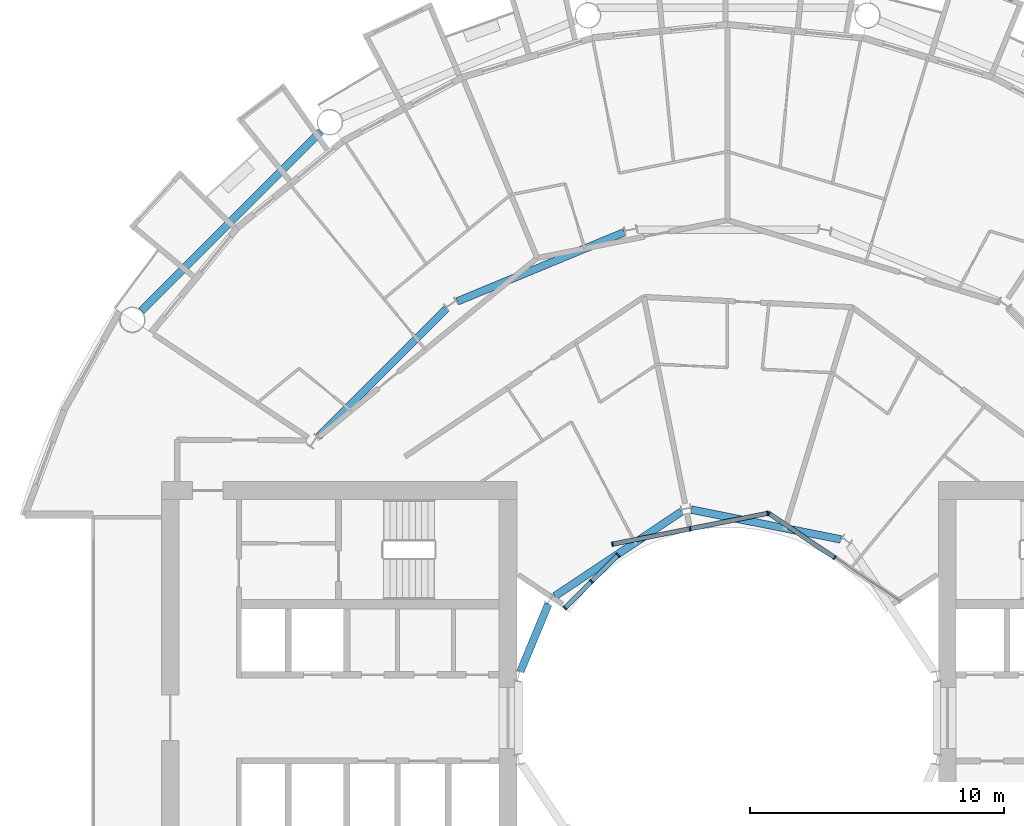
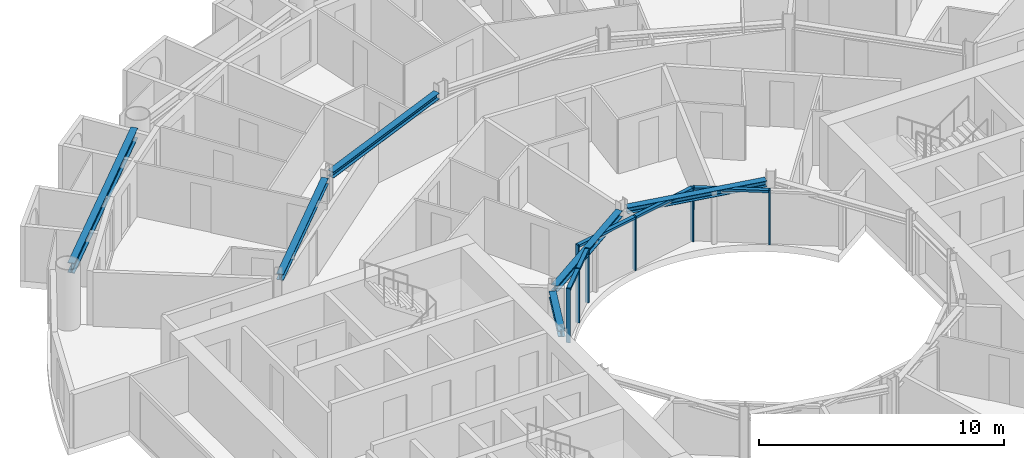
# One storey, part 7 of 26: 13 members, 6 beams, 3 elements without a shape of their own.
"""IFC4 building model written with IfcOpenShell, lengths in metres."""

from ifc_helpers import new_model, si_unit, direction, frame, origin, origin_2d, place, context, subcontext, project, spatial, rectangle, i_section, extrude, material, layer, layer_set, material_profile, profile_set, type_object, element, aggregate, save


model = new_model("IFC4")

# Units and contexts
model_context = context("Model", 3, precision=1e-05, world=origin(), true_north=direction((0.0, 1.0)))
body_context = subcontext(model_context, "Body", "Model", "MODEL_VIEW")
ifc_project = project(units=[si_unit("LENGTHUNIT", "METRE"), si_unit("AREAUNIT", "SQUARE_METRE"), si_unit("VOLUMEUNIT", "CUBIC_METRE"), si_unit("PLANEANGLEUNIT", "RADIAN"), si_unit("MASSUNIT", "GRAM", prefix="KILO")], contexts=[model_context])

# Site, building, storey
site_placement = place(None, origin())
site = spatial("IfcSite", under=ifc_project, at=site_placement, CompositionType="ELEMENT")
building_placement = place(site_placement, origin())
building = spatial("IfcBuilding", under=site, at=building_placement, Name="Maasbend Ring Residences", CompositionType="ELEMENT")
storey_placement = place(building_placement, frame((0.0, 0.0, 91.050048828125)))
storey = spatial("IfcBuildingStorey", under=building, at=storey_placement, Name="L26", CompositionType="ELEMENT", Elevation=91.050048828125)

# Curtain wall, members
ifc_material_1 = material(Name="Aluminium and clear glass", Category="aluminium")
ifc_layer = layer(ifc_material_1, 0.179931640625)
ifc_layer_set = layer_set([ifc_layer], Name="CW-W")
curtain_wall_type = type_object("IfcCurtainWallType", Name="CW-W", PredefinedType="NOTDEFINED", material=ifc_layer_set)
curtain_wall_1_placement = place(storey_placement, origin())
curtain_wall_1 = element("IfcCurtainWall", 1, at=curtain_wall_1_placement, inside=storey, type_object=curtain_wall_type, Name="Well curtain wall N1", PredefinedType="NOTDEFINED")
ifc_material_2 = material(Name="Aluminium 6063-T6", Category="aluminium")
ifc_material_profile_1 = material_profile(ifc_material_2, rectangle(XDim=0.179931640625, YDim=0.06005859375, at=origin_2d()), Name="AL 180x60")
ifc_profile_set_1 = profile_set([ifc_material_profile_1], Name="Aluminium 6063-T6")
member_type_1 = type_object("IfcMemberType", Name="CWM-W", PredefinedType="MULLION", material=ifc_profile_set_1)
member_1_placement = place(storey_placement, frame((4.216796875, 6.310791015625, 0.0), z_axis=(0.0, 0.0, 1.0), x_axis=(-0.55557023302, -0.831469612303, 0.0)))
member_1 = element("IfcMember", 2, at=member_1_placement, type_object=member_type_1, Name="Mullion well face", PredefinedType="MULLION", context=body_context, shape_type="SweptSolid", body=[
    extrude(rectangle(XDim=0.179931640625, YDim=0.06005859375, at=origin_2d()), origin(), (0.0, 0.0, 1.0), 2.699951171875),
])
member_2_placement = place(storey_placement, frame((1.627685546875, 8.040771484375, 0.0), z_axis=(0.0, 0.0, 1.0), x_axis=(-0.55557023302, -0.831469612303, 0.0)))
member_2 = element("IfcMember", 3, at=member_2_placement, type_object=member_type_1, Name="Mullion well face", PredefinedType="MULLION", context=body_context, shape_type="SweptSolid", body=[
    extrude(rectangle(XDim=0.179931640625, YDim=0.06005859375, at=origin_2d()), origin(), (0.0, 0.0, 1.0), 2.699951171875),
])

curtain_wall_2_placement = place(storey_placement, origin())
curtain_wall_2 = element("IfcCurtainWall", 4, at=curtain_wall_2_placement, inside=storey, type_object=curtain_wall_type, Name="Well curtain wall N2", PredefinedType="NOTDEFINED")
member_3_placement = place(storey_placement, frame((1.5732421875, 8.0517578125, 0.0), z_axis=(0.0, 0.0, 1.0), x_axis=(0.195090322016, -0.980785280403, 0.0)))
member_3 = element("IfcMember", 5, at=member_3_placement, type_object=member_type_1, Name="Mullion well face", PredefinedType="MULLION", context=body_context, shape_type="SweptSolid", body=[
    extrude(rectangle(XDim=0.179931640625, YDim=0.06005859375, at=origin_2d()), origin(), (0.0, 0.0, 1.0), 2.699951171875),
])
member_4_placement = place(storey_placement, frame((-1.480712890625, 7.444091796875, 0.0), z_axis=(0.0, 0.0, 1.0), x_axis=(0.195090322016, -0.980785280403, 0.0)))
member_4 = element("IfcMember", 6, at=member_4_placement, type_object=member_type_1, Name="Mullion well face", PredefinedType="MULLION", context=body_context, shape_type="SweptSolid", body=[
    extrude(rectangle(XDim=0.179931640625, YDim=0.06005859375, at=origin_2d()), origin(), (0.0, 0.0, 1.0), 2.699951171875),
])
member_5_placement = place(storey_placement, frame((-4.53466796875, 6.836669921875, 0.0), z_axis=(0.0, 0.0, 1.0), x_axis=(0.195090322016, -0.980785280403, 0.0)))
member_5 = element("IfcMember", 7, at=member_5_placement, type_object=member_type_1, Name="Mullion well face", PredefinedType="MULLION", context=body_context, shape_type="SweptSolid", body=[
    extrude(rectangle(XDim=0.179931640625, YDim=0.06005859375, at=origin_2d()), origin(), (0.0, 0.0, 1.0), 2.699951171875),
])

curtain_wall_3_placement = place(storey_placement, origin())
curtain_wall_3 = element("IfcCurtainWall", 8, at=curtain_wall_3_placement, inside=storey, type_object=curtain_wall_type, Name="Well curtain wall N3", PredefinedType="NOTDEFINED")
member_6_placement = place(storey_placement, frame((-4.320556640625, 6.413330078125, 0.0), z_axis=(0.0, 0.0, 1.0), x_axis=(0.707106781187, -0.707106781187, 0.0)))
member_6 = element("IfcMember", 9, at=member_6_placement, type_object=member_type_1, Name="Mullion well face", PredefinedType="MULLION", context=body_context, shape_type="SweptSolid", body=[
    extrude(rectangle(XDim=0.179931640625, YDim=0.06005859375, at=origin_2d()), origin(), (0.0, 0.0, 1.0), 2.699951171875),
])
member_7_placement = place(storey_placement, frame((-5.366943359375, 5.366943359375, 0.0), z_axis=(0.0, 0.0, 1.0), x_axis=(0.707106781187, -0.707106781187, 0.0)))
member_7 = element("IfcMember", 10, at=member_7_placement, type_object=member_type_1, Name="Mullion well face", PredefinedType="MULLION", context=body_context, shape_type="SweptSolid", body=[
    extrude(rectangle(XDim=0.179931640625, YDim=0.06005859375, at=origin_2d()), origin(), (0.0, 0.0, 1.0), 2.699951171875),
])
member_8_placement = place(storey_placement, frame((-6.413330078125, 4.320556640625, 0.0), z_axis=(0.0, 0.0, 1.0), x_axis=(0.707106781187, -0.707106781187, 0.0)))
member_8 = element("IfcMember", 11, at=member_8_placement, type_object=member_type_1, Name="Mullion well face", PredefinedType="MULLION", context=body_context, shape_type="SweptSolid", body=[
    extrude(rectangle(XDim=0.179931640625, YDim=0.06005859375, at=origin_2d()), origin(), (0.0, 0.0, 1.0), 2.699951171875),
])

# Member
ifc_material_3 = material(Name="Aluminium 6063-T6", Category="aluminium")
ifc_material_profile_2 = material_profile(ifc_material_3, rectangle(XDim=0.179931640625, YDim=0.1201171875, at=origin_2d()), Name="AL 180x120")
ifc_profile_set_2 = profile_set([ifc_material_profile_2], Name="Aluminium 6063-T6")
member_type_2 = type_object("IfcMemberType", Name="CWT-W", PredefinedType="USERDEFINED", material=ifc_profile_set_2)
member_9_placement = place(storey_placement, frame((4.19189453125, 6.32763671875, 2.639892578125), z_axis=(-0.831496422459, 0.555530106689, 0.0), x_axis=(-0.555530106689, -0.831496422459, 0.0)))
member_9 = element("IfcMember", 12, at=member_9_placement, type_object=member_type_2, Name="Transom well face", ObjectType="TRANSOM", PredefinedType="USERDEFINED", context=body_context, shape_type="SweptSolid", body=[
    extrude(rectangle(XDim=0.179931640625, YDim=0.1201171875, at=origin_2d()), origin(), (0.0, 0.0, 1.0), 3.053955078125),
])

aggregate(curtain_wall_1, [member_1, member_2, member_9])

member_10_placement = place(storey_placement, frame((1.5439453125, 8.0458984375, 2.639892578125), z_axis=(-0.980776956105, -0.195132166424, 0.0), x_axis=(0.195132166424, -0.980776956105, 0.0)))
member_10 = element("IfcMember", 13, at=member_10_placement, type_object=member_type_2, Name="Transom well face", ObjectType="TRANSOM", PredefinedType="USERDEFINED", context=body_context, shape_type="SweptSolid", body=[
    extrude(rectangle(XDim=0.179931640625, YDim=0.1201171875, at=origin_2d()), origin(), (0.0, 0.0, 1.0), 3.053955078125),
])

member_11_placement = place(storey_placement, frame((-1.51025390625, 7.438232421875, 2.639892578125), z_axis=(-0.980789210404, -0.19507056353, 0.0), x_axis=(0.19507056353, -0.980789210404, 0.0)))
member_11 = element("IfcMember", 14, at=member_11_placement, type_object=member_type_2, Name="Transom well face", ObjectType="TRANSOM", PredefinedType="USERDEFINED", context=body_context, shape_type="SweptSolid", body=[
    extrude(rectangle(XDim=0.179931640625, YDim=0.1201171875, at=origin_2d()), origin(), (0.0, 0.0, 1.0), 3.0537109375),
])

aggregate(curtain_wall_2, [member_3, member_4, member_5, member_10, member_11])

member_12_placement = place(storey_placement, frame((-4.341796875, 6.39208984375, 2.639892578125), z_axis=(-0.707106781187, -0.707106781187, 0.0), x_axis=(0.707106781187, -0.707106781187, 0.0)))
member_12 = element("IfcMember", 15, at=member_12_placement, type_object=member_type_2, Name="Transom well face", ObjectType="TRANSOM", PredefinedType="USERDEFINED", context=body_context, shape_type="SweptSolid", body=[
    extrude(rectangle(XDim=0.179931640625, YDim=0.1201171875, at=origin_2d()), origin(), (0.0, 0.0, 1.0), 1.419677734375),
])

member_13_placement = place(storey_placement, frame((-5.38818359375, 5.345703125, 2.639892578125), z_axis=(-0.707106781187, -0.707106781187, 0.0), x_axis=(0.707106781187, -0.707106781187, 0.0)))
member_13 = element("IfcMember", 16, at=member_13_placement, type_object=member_type_2, Name="Transom well face", ObjectType="TRANSOM", PredefinedType="USERDEFINED", context=body_context, shape_type="SweptSolid", body=[
    extrude(rectangle(XDim=0.179931640625, YDim=0.1201171875, at=origin_2d()), origin(), (0.0, 0.0, 1.0), 1.419677734375),
])

aggregate(curtain_wall_3, [member_6, member_7, member_8, member_12, member_13])

# Beams
ifc_material_4 = material(Name="Steel S355J2", Category="steel")
ifc_material_profile_3 = material_profile(ifc_material_4, i_section(OverallWidth=0.300048828125, OverallDepth=0.300048828125, WebThickness=0.010986328125, FlangeThickness=0.01904296875, FilletRadius=0.027099609375, at=origin_2d()), Name="HEB 300")
ifc_profile_set_3 = profile_set([ifc_material_profile_3], Name="Steel S355J2")
beam_type_1 = type_object("IfcBeamType", Name="Corridor ring beam HEB 300", PredefinedType="BEAM", material=ifc_profile_set_3)
for number, where, z_axis, x_axis, name in (
    (17, (-4.070556640625, 19.12109375, 2.550048828125), (-0.923877113721, -0.382689271788, 0.0), (0.382689271788, -0.923877113721, 0.0), "Corridor ring beam"),
    (18, (-11.078125, 16.10791015625, 2.550048828125), (-0.707106781187, -0.707106781187, 0.0), (0.707106781187, -0.707106781187, 0.0), "Corridor ring beam"),
):
    element("IfcBeam", number, at=place(storey_placement, frame(where, z_axis=z_axis, x_axis=x_axis)), inside=storey, type_object=beam_type_1, Name=name, PredefinedType="BEAM", context=body_context, shape_type="SweptSolid", body=[
        extrude(i_section(OverallWidth=0.300048828125, OverallDepth=0.300048828125, WebThickness=0.010986328125, FlangeThickness=0.01904296875, FilletRadius=0.027099609375, at=origin_2d()), origin(), (0.0, 0.0, 1.0), 7.11328125),
    ])
ifc_material_5 = material(Name="Steel S355J2", Category="steel")
ifc_material_profile_4 = material_profile(ifc_material_5, i_section(OverallWidth=0.300048828125, OverallDepth=0.5, WebThickness=0.014404296875, FlangeThickness=0.028076171875, FilletRadius=0.027099609375, at=origin_2d()), Name="HEB 500")
ifc_profile_set_4 = profile_set([ifc_material_profile_4], Name="Steel S355J2")
beam_type_2 = type_object("IfcBeamType", Name="Spandrel ring beam HEB 500", PredefinedType="SPANDREL", material=ifc_profile_set_4)
beam_1_placement = place(storey_placement, frame((-16.0263671875, 23.088134765625, 2.449951171875), z_axis=(-0.707106781187, -0.707106781187, 0.0), x_axis=(0.707106781187, -0.707106781187, 0.0)))
element("IfcBeam", 19, at=beam_1_placement, inside=storey, type_object=beam_type_2, Name="Spandrel ring beam", PredefinedType="SPANDREL", context=body_context, shape_type="SweptSolid", body=[
    extrude(i_section(OverallWidth=0.300048828125, OverallDepth=0.5, WebThickness=0.014404296875, FlangeThickness=0.028076171875, FilletRadius=0.027099609375, at=origin_2d()), origin(), (0.0, 0.0, 1.0), 9.98681640625),
])
ifc_material_6 = material(Name="Steel S355J2", Category="steel")
ifc_material_profile_5 = material_profile(ifc_material_6, i_section(OverallWidth=0.300048828125, OverallDepth=0.300048828125, WebThickness=0.010986328125, FlangeThickness=0.01904296875, FilletRadius=0.027099609375, at=origin_2d()), Name="HEB 300")
ifc_profile_set_5 = profile_set([ifc_material_profile_5], Name="Steel S355J2")
beam_type_3 = type_object("IfcBeamType", Name="Well edge beam HEB 300", PredefinedType="BEAM", material=ifc_profile_set_5)
beam_2_placement = place(storey_placement, frame((4.45458984375, 7.026611328125, 2.550048828125), z_axis=(-0.980789954577, 0.195066821885, 0.0), x_axis=(-0.195066821885, -0.980789954577, 0.0)))
element("IfcBeam", 20, at=beam_2_placement, inside=storey, type_object=beam_type_3, Name="Well edge beam", PredefinedType="BEAM", context=body_context, shape_type="SweptSolid", body=[
    extrude(i_section(OverallWidth=0.300048828125, OverallDepth=0.300048828125, WebThickness=0.010986328125, FlangeThickness=0.01904296875, FilletRadius=0.027099609375, at=origin_2d()), origin(), (0.0, 0.0, 1.0), 5.996337890625),
])
beam_3_placement = place(storey_placement, frame((-1.81884765625, 8.118408203125, 2.550048828125), z_axis=(-0.83145471117, -0.555592533493, 0.0), x_axis=(0.555592533493, -0.83145471117, 0.0)))
element("IfcBeam", 21, at=beam_3_placement, inside=storey, type_object=beam_type_3, Name="Well edge beam", PredefinedType="BEAM", context=body_context, shape_type="SweptSolid", body=[
    extrude(i_section(OverallWidth=0.300048828125, OverallDepth=0.300048828125, WebThickness=0.010986328125, FlangeThickness=0.01904296875, FilletRadius=0.027099609375, at=origin_2d()), origin(), (0.0, 0.0, 1.0), 5.995849609375),
])
beam_4_placement = place(storey_placement, frame((-7.062255859375, 4.478515625, 2.550048828125), z_axis=(-0.382729955172, -0.923860260761, 0.0), x_axis=(0.923860260761, -0.382729955172, 0.0)))
element("IfcBeam", 22, at=beam_4_placement, inside=storey, type_object=beam_type_3, Name="Well edge beam", PredefinedType="BEAM", context=body_context, shape_type="SweptSolid", body=[
    extrude(i_section(OverallWidth=0.300048828125, OverallDepth=0.300048828125, WebThickness=0.010986328125, FlangeThickness=0.01904296875, FilletRadius=0.027099609375, at=origin_2d()), origin(), (0.0, 0.0, 1.0), 2.869873046875),
])

save(model, "model.ifc")
